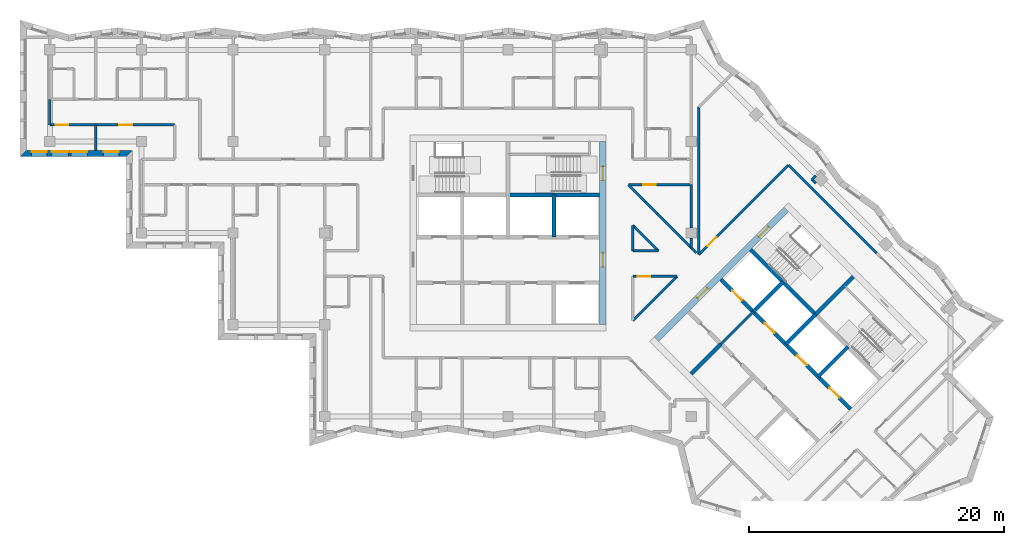
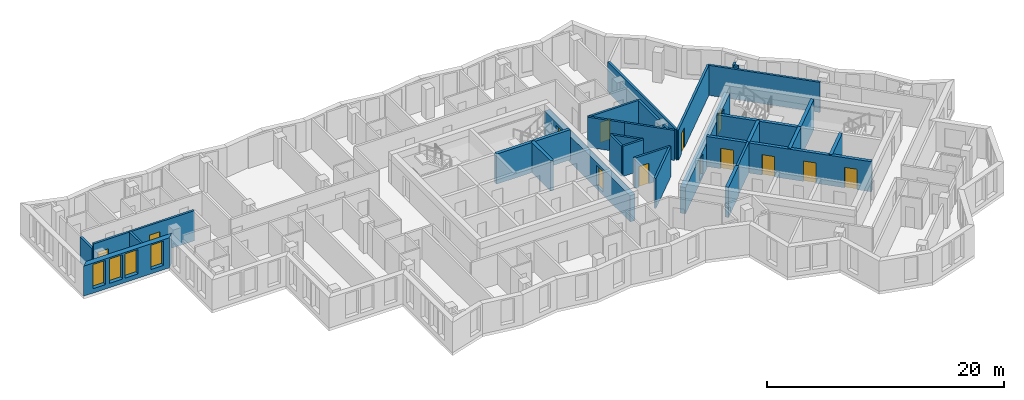
# One storey, part 5 of 13: 32 walls, 13 doors, 4 windows, 17 openings.
"""IFC4 building model written with IfcOpenShell, lengths in metres."""

from ifc_helpers import new_model, si_unit, direction, frame, frame_2d, origin, place, context, subcontext, project, spatial, polyline, rectangle, outline, extrude, material, layer, layer_set, type_object, element, fill, save


model = new_model("IFC4")

# Units and contexts
model_context = context("Model", 3, precision=1e-05, world=origin(), true_north=direction((0.0, 1.0)))
body_context = subcontext(model_context, "Body", "Model", "MODEL_VIEW")
ifc_project = project(units=[si_unit("LENGTHUNIT", "METRE"), si_unit("AREAUNIT", "SQUARE_METRE"), si_unit("VOLUMEUNIT", "CUBIC_METRE"), si_unit("PLANEANGLEUNIT", "RADIAN"), si_unit("MASSUNIT", "GRAM", prefix="KILO")], contexts=[model_context])

# Site, building, storey
site_placement = place(None, origin())
site = spatial("IfcSite", under=ifc_project, at=site_placement, CompositionType="ELEMENT")
building_placement = place(site_placement, origin())
building = spatial("IfcBuilding", under=site, at=building_placement, Name="Windrow Commons", CompositionType="ELEMENT")
storey_placement = place(building_placement, frame((0.0, 0.0, 216.8)))
storey = spatial("IfcBuildingStorey", under=building, at=storey_placement, Name="L59", CompositionType="ELEMENT", Elevation=216.8)

# Wall, openings, windows
ifc_material_1 = material(Name="Brick masonry, red clay brick", Category="masonry")
ifc_layer_1 = layer(ifc_material_1, 0.5)
ifc_layer_set_1 = layer_set([ifc_layer_1], Name="Brick facade wall 500")
wall_type_1 = type_object("IfcWallType", Name="Brick facade wall 500", PredefinedType="SOLIDWALL", material=ifc_layer_set_1)
wall_1_placement = place(storey_placement, frame((26.708, 63.85, 0.0), z_axis=(0.0, 0.0, 1.0), x_axis=(1.0, 0.0, 0.0)))
wall_1 = element("IfcWall", 1, at=wall_1_placement, inside=storey, type_object=wall_type_1, Name="Brick facade wall L59 32", PredefinedType="SOLIDWALL", context=body_context, shape_type="SweptSolid", body=[
    extrude(outline(polyline([(-0.25, -0.25), (8.092, -0.25), (8.592, 0.25), (0.25, 0.25), (-0.25, -0.25)])), origin(), (0.0, 0.0, 1.0), 3.1),
])
opening_1_placement = place(wall_1_placement, frame((2.242, 0.0, 0.45)))
opening_1 = element("IfcOpeningElement", 2, at=opening_1_placement, cuts=wall_1, Name="Opening W1Q", PredefinedType="OPENING", context=body_context, shape_type="SweptSolid", body=[
    extrude(rectangle(XDim=1.3, YDim=2.5, at=frame_2d((0.65, 1.25))), frame((0.0, 0.26, 0.0), z_axis=(0.0, -1.0, 0.0), x_axis=(1.0, 0.0, 0.0)), (0.0, 0.0, 1.0), 0.52),
])
opening_2_placement = place(wall_1_placement, frame((3.742, 0.0, 0.45)))
opening_2 = element("IfcOpeningElement", 3, at=opening_2_placement, cuts=wall_1, Name="Opening W1Q", PredefinedType="OPENING", context=body_context, shape_type="SweptSolid", body=[
    extrude(rectangle(XDim=1.3, YDim=2.5, at=frame_2d((0.65, 1.25))), frame((0.0, 0.26, 0.0), z_axis=(0.0, -1.0, 0.0), x_axis=(1.0, 0.0, 0.0)), (0.0, 0.0, 1.0), 0.52),
])
opening_3_placement = place(wall_1_placement, frame((0.671, 0.0, 0.45)))
opening_3 = element("IfcOpeningElement", 4, at=opening_3_placement, cuts=wall_1, Name="Opening W7E", PredefinedType="OPENING", context=body_context, shape_type="SweptSolid", body=[
    extrude(rectangle(XDim=1.2, YDim=2.5, at=frame_2d((0.6, 1.25))), frame((0.0, 0.26, 0.0), z_axis=(0.0, -1.0, 0.0), x_axis=(1.0, 0.0, 0.0)), (0.0, 0.0, 1.0), 0.52),
])
opening_4_placement = place(wall_1_placement, frame((6.317, 0.0, 0.45)))
opening_4 = element("IfcOpeningElement", 5, at=opening_4_placement, cuts=wall_1, Name="Opening W7E", PredefinedType="OPENING", context=body_context, shape_type="SweptSolid", body=[
    extrude(rectangle(XDim=1.2, YDim=2.5, at=frame_2d((0.6, 1.25))), frame((0.0, 0.26, 0.0), z_axis=(0.0, -1.0, 0.0), x_axis=(1.0, 0.0, 0.0)), (0.0, 0.0, 1.0), 0.52),
])
ifc_material_2 = material(Name="Clear float glass in anodised aluminium frame", Category="aluminium")
window_type_1 = type_object("IfcWindowType", Name="Window W1Q pair 1300x2500", PartitioningType="SINGLE_PANEL", PredefinedType="WINDOW", material=ifc_material_2)
window_1_placement = place(opening_1_placement, origin())
window_1 = element("IfcWindow", 6, at=window_1_placement, inside=storey, type_object=window_type_1, Name="Window L59 32.1A", OverallHeight=2.5, OverallWidth=1.3, PartitioningType="SINGLE_PANEL", PredefinedType="WINDOW", context=body_context, shape_type="SweptSolid", body=[
    extrude(rectangle(XDim=1.3, YDim=2.5, at=frame_2d((0.65, 1.25))), frame((0.0, 0.18, 0.0), z_axis=(0.0, -1.0, 0.0), x_axis=(1.0, 0.0, 0.0)), (0.0, 0.0, 1.0), 0.06),
])
fill(opening_1, window_1)
window_2_placement = place(opening_2_placement, origin())
window_2 = element("IfcWindow", 7, at=window_2_placement, inside=storey, type_object=window_type_1, Name="Window L59 32.1B", OverallHeight=2.5, OverallWidth=1.3, PartitioningType="SINGLE_PANEL", PredefinedType="WINDOW", context=body_context, shape_type="SweptSolid", body=[
    extrude(rectangle(XDim=1.3, YDim=2.5, at=frame_2d((0.65, 1.25))), frame((0.0, 0.18, 0.0), z_axis=(0.0, -1.0, 0.0), x_axis=(1.0, 0.0, 0.0)), (0.0, 0.0, 1.0), 0.06),
])
fill(opening_2, window_2)
ifc_material_3 = material(Name="Clear float glass in anodised aluminium frame", Category="aluminium")
window_type_2 = type_object("IfcWindowType", Name="Window W7 notch 1200x2500", PartitioningType="SINGLE_PANEL", PredefinedType="WINDOW", material=ifc_material_3)
window_3_placement = place(opening_3_placement, origin())
window_3 = element("IfcWindow", 8, at=window_3_placement, inside=storey, type_object=window_type_2, Name="Window L59 32.2", OverallHeight=2.5, OverallWidth=1.2, PartitioningType="SINGLE_PANEL", PredefinedType="WINDOW", context=body_context, shape_type="SweptSolid", body=[
    extrude(rectangle(XDim=1.2, YDim=2.5, at=frame_2d((0.6, 1.25))), frame((0.0, 0.18, 0.0), z_axis=(0.0, -1.0, 0.0), x_axis=(1.0, 0.0, 0.0)), (0.0, 0.0, 1.0), 0.06),
])
fill(opening_3, window_3)
window_4_placement = place(opening_4_placement, origin())
window_4 = element("IfcWindow", 9, at=window_4_placement, inside=storey, type_object=window_type_2, Name="Window L59 32.3", OverallHeight=2.5, OverallWidth=1.2, PartitioningType="SINGLE_PANEL", PredefinedType="WINDOW", context=body_context, shape_type="SweptSolid", body=[
    extrude(rectangle(XDim=1.2, YDim=2.5, at=frame_2d((0.6, 1.25))), frame((0.0, 0.18, 0.0), z_axis=(0.0, -1.0, 0.0), x_axis=(1.0, 0.0, 0.0)), (0.0, 0.0, 1.0), 0.06),
])
fill(opening_4, window_4)

# Wall
ifc_material_4 = material(Name="Blockwork partition", Category="masonry")
ifc_layer_2 = layer(ifc_material_4, 0.2)
ifc_layer_set_2 = layer_set([ifc_layer_2], Name="Fire lobby partition 200")
wall_type_2 = type_object("IfcWallType", Name="Fire lobby partition 200", PredefinedType="PARTITIONING", material=ifc_layer_set_2)
wall_2_placement = place(storey_placement, frame((81.5335, 48.8776, 0.0), z_axis=(0.0, 0.0, 1.0), x_axis=(0.707092892, 0.7071206701, 0.0)))
element("IfcWall", 10, at=wall_2_placement, inside=storey, type_object=wall_type_2, Name="W-core-lobby-B-L59", PredefinedType="PARTITIONING", context=body_context, shape_type="SweptSolid", body=[
    extrude(rectangle(XDim=3.6, YDim=0.2, at=frame_2d((1.8, 0.0))), origin(), (0.0, 0.0, 1.0), 3.1),
])

# Wall, opening, door
ifc_material_5 = material(Name="Blockwork partition", Category="masonry")
ifc_layer_3 = layer(ifc_material_5, 0.2)
ifc_layer_set_3 = layer_set([ifc_layer_3], Name="IW-CORRIDOR-200")
wall_type_3 = type_object("IfcWallType", Name="IW-CORRIDOR-200", PredefinedType="PARTITIONING", material=ifc_layer_set_3)
wall_3_placement = place(storey_placement, frame((79.799, 55.913, 0.0), z_axis=(0.0, 0.0, 1.0), x_axis=(0.7071067812, 0.7071067812, 0.0)))
wall_3 = element("IfcWall", 11, at=wall_3_placement, inside=storey, type_object=wall_type_3, Name="W-L59-W009", PredefinedType="PARTITIONING", context=body_context, shape_type="SweptSolid", body=[
    extrude(rectangle(XDim=9.9504, YDim=0.2, at=frame_2d((4.9752, 0.0))), origin(), (0.0, 0.0, 1.0), 3.1),
])
opening_5_placement = place(wall_3_placement, frame((0.9268, 0.0, 0.0)))
opening_5 = element("IfcOpeningElement", 12, at=opening_5_placement, cuts=wall_3, Name="Opening D310F", PredefinedType="OPENING", context=body_context, shape_type="SweptSolid", body=[
    extrude(rectangle(XDim=1.0, YDim=2.1, at=frame_2d((0.5, 1.05))), frame((0.0, 0.11, 0.0), z_axis=(0.0, -1.0, 0.0), x_axis=(1.0, 0.0, 0.0)), (0.0, 0.0, 1.0), 0.22),
])
ifc_material_6 = material(Name="Timber door leaf", Category="wood")
door_type_1 = type_object("IfcDoorType", Name="DT-AMENITY-1000", OperationType="SINGLE_SWING_LEFT", PredefinedType="DOOR", material=ifc_material_6)
door_1_placement = place(opening_5_placement, origin())
door_1 = element("IfcDoor", 13, at=door_1_placement, inside=storey, type_object=door_type_1, Name="D-L59-D041", OperationType="SINGLE_SWING_RIGHT", OverallHeight=2.1, OverallWidth=1.0, PredefinedType="DOOR", context=body_context, shape_type="SweptSolid", body=[
    extrude(rectangle(XDim=1.0, YDim=2.1, at=frame_2d((0.5, 1.05))), frame((0.0, 0.025, 0.0), z_axis=(0.0, -1.0, 0.0), x_axis=(1.0, 0.0, 0.0)), (0.0, 0.0, 1.0), 0.05),
])
fill(opening_5, door_1)

# Wall, openings, doors
wall_4_placement = place(storey_placement, frame((28.802, 66.1, 0.0), z_axis=(0.0, 0.0, 1.0), x_axis=(1.0, 0.0, 0.0)))
wall_4 = element("IfcWall", 14, at=wall_4_placement, inside=storey, type_object=wall_type_3, Name="W-L59-W010", PredefinedType="PARTITIONING", context=body_context, shape_type="SweptSolid", body=[
    extrude(rectangle(XDim=9.798, YDim=0.2, at=frame_2d((4.899, 0.0))), origin(), (0.0, 0.0, 1.0), 3.1),
])
opening_6_placement = place(wall_4_placement, frame((0.4487, 0.0, 0.0)))
opening_6 = element("IfcOpeningElement", 15, at=opening_6_placement, cuts=wall_4, Name="Opening D310F", PredefinedType="OPENING", context=body_context, shape_type="SweptSolid", body=[
    extrude(rectangle(XDim=1.0, YDim=2.1, at=frame_2d((0.5, 1.05))), frame((0.0, 0.11, 0.0), z_axis=(0.0, -1.0, 0.0), x_axis=(1.0, 0.0, 0.0)), (0.0, 0.0, 1.0), 0.22),
])
opening_7_placement = place(wall_4_placement, frame((5.4593, 0.0, 0.0)))
opening_7 = element("IfcOpeningElement", 16, at=opening_7_placement, cuts=wall_4, Name="Opening D310F", PredefinedType="OPENING", context=body_context, shape_type="SweptSolid", body=[
    extrude(rectangle(XDim=1.0, YDim=2.1, at=frame_2d((0.5, 1.05))), frame((0.0, 0.11, 0.0), z_axis=(0.0, -1.0, 0.0), x_axis=(1.0, 0.0, 0.0)), (0.0, 0.0, 1.0), 0.22),
])
door_2_placement = place(opening_6_placement, origin())
door_2 = element("IfcDoor", 17, at=door_2_placement, inside=storey, type_object=door_type_1, Name="D-L59-D001", OperationType="SINGLE_SWING_LEFT", OverallHeight=2.1, OverallWidth=1.0, PredefinedType="DOOR", context=body_context, shape_type="SweptSolid", body=[
    extrude(rectangle(XDim=1.0, YDim=2.1, at=frame_2d((0.5, 1.05))), frame((0.0, 0.025, 0.0), z_axis=(0.0, -1.0, 0.0), x_axis=(1.0, 0.0, 0.0)), (0.0, 0.0, 1.0), 0.05),
])
fill(opening_6, door_2)
door_3_placement = place(opening_7_placement, origin())
door_3 = element("IfcDoor", 18, at=door_3_placement, inside=storey, type_object=door_type_1, Name="D-L59-D008", OperationType="SINGLE_SWING_RIGHT", OverallHeight=2.1, OverallWidth=1.0, PredefinedType="DOOR", context=body_context, shape_type="SweptSolid", body=[
    extrude(rectangle(XDim=1.0, YDim=2.1, at=frame_2d((0.5, 1.05))), frame((0.0, 0.025, 0.0), z_axis=(0.0, -1.0, 0.0), x_axis=(1.0, 0.0, 0.0)), (0.0, 0.0, 1.0), 0.05),
])
fill(opening_7, door_3)

# Wall
wall_5_placement = place(storey_placement, frame((86.8347, 62.9447, 0.0), z_axis=(0.0, 0.0, 1.0), x_axis=(0.7071067812, -0.7071067812, 0.0)))
element("IfcWall", 19, at=wall_5_placement, inside=storey, type_object=wall_type_3, Name="W-L59-W011", PredefinedType="PARTITIONING", context=body_context, shape_type="SweptSolid", body=[
    extrude(rectangle(XDim=9.7977, YDim=0.2, at=frame_2d((4.8989, 0.0))), origin(), (0.0, 0.0, 1.0), 3.1),
])

# Wall, opening, door
wall_6_placement = place(storey_placement, frame((74.246, 61.4, 0.0), z_axis=(0.0, 0.0, 1.0), x_axis=(1.0, 0.0, 0.0)))
wall_6 = element("IfcWall", 20, at=wall_6_placement, inside=storey, type_object=wall_type_3, Name="W-L59-W029", PredefinedType="PARTITIONING", context=body_context, shape_type="SweptSolid", body=[
    extrude(rectangle(XDim=4.954, YDim=0.2, at=frame_2d((2.477, 0.0))), origin(), (0.0, 0.0, 1.0), 3.1),
])
opening_8_placement = place(wall_6_placement, frame((1.1698, 0.0, 0.0)))
opening_8 = element("IfcOpeningElement", 21, at=opening_8_placement, cuts=wall_6, Name="Opening D410F", PredefinedType="OPENING", context=body_context, shape_type="SweptSolid", body=[
    extrude(rectangle(XDim=1.0, YDim=2.1, at=frame_2d((0.5, 1.05))), frame((0.0, 0.11, 0.0), z_axis=(0.0, -1.0, 0.0), x_axis=(1.0, 0.0, 0.0)), (0.0, 0.0, 1.0), 0.22),
])
ifc_material_7 = material(Name="Timber door leaf", Category="wood")
door_type_2 = type_object("IfcDoorType", Name="DT-SERVICE-1000", OperationType="SINGLE_SWING_LEFT", PredefinedType="DOOR", material=ifc_material_7)
door_4_placement = place(opening_8_placement, origin())
door_4 = element("IfcDoor", 22, at=door_4_placement, inside=storey, type_object=door_type_2, Name="D-L59-D040", OperationType="SINGLE_SWING_RIGHT", OverallHeight=2.1, OverallWidth=1.0, PredefinedType="DOOR", context=body_context, shape_type="SweptSolid", body=[
    extrude(rectangle(XDim=1.0, YDim=2.1, at=frame_2d((0.5, 1.05))), frame((0.0, 0.025, 0.0), z_axis=(0.0, -1.0, 0.0), x_axis=(1.0, 0.0, 0.0)), (0.0, 0.0, 1.0), 0.05),
])
fill(opening_8, door_4)

# Walls
wall_7_placement = place(storey_placement, frame((74.601, 50.715, 0.0), z_axis=(0.0, 0.0, 1.0), x_axis=(0.7071067812, 0.7071067812, 0.0)))
element("IfcWall", 23, at=wall_7_placement, inside=storey, type_object=wall_type_3, Name="W-L59-W030", PredefinedType="PARTITIONING", context=body_context, shape_type="SweptSolid", body=[
    extrude(rectangle(XDim=4.9271, YDim=0.2, at=frame_2d((2.4636, 0.0))), origin(), (0.0, 0.0, 1.0), 3.1),
])
wall_8_placement = place(storey_placement, frame((76.5129, 59.1309, 0.0), z_axis=(0.0, 0.0, 1.0), x_axis=(0.7073587997, -0.7068546728, 0.0)))
element("IfcWall", 24, at=wall_8_placement, inside=storey, type_object=wall_type_3, Name="W-L59-W040", PredefinedType="PARTITIONING", context=body_context, shape_type="SweptSolid", body=[
    extrude(rectangle(XDim=4.364, YDim=0.2, at=frame_2d((2.182, 0.0))), origin(), (0.0, 0.0, 1.0), 3.1),
])

# Wall, opening, door
wall_9_placement = place(storey_placement, frame((74.602, 54.2, 0.0), z_axis=(0.0, 0.0, 1.0), x_axis=(1.0, 0.0, 0.0)))
wall_9 = element("IfcWall", 25, at=wall_9_placement, inside=storey, type_object=wall_type_3, Name="W-L59-W047", PredefinedType="PARTITIONING", context=body_context, shape_type="SweptSolid", body=[
    extrude(rectangle(XDim=3.484, YDim=0.2, at=frame_2d((1.742, 0.0))), origin(), (0.0, 0.0, 1.0), 3.1),
])
opening_9_placement = place(wall_9_placement, frame((0.3815, 0.0, 0.0)))
opening_9 = element("IfcOpeningElement", 26, at=opening_9_placement, cuts=wall_9, Name="Opening D310F", PredefinedType="OPENING", context=body_context, shape_type="SweptSolid", body=[
    extrude(rectangle(XDim=1.0, YDim=2.1, at=frame_2d((0.5, 1.05))), frame((0.0, 0.11, 0.0), z_axis=(0.0, -1.0, 0.0), x_axis=(1.0, 0.0, 0.0)), (0.0, 0.0, 1.0), 0.22),
])
door_5_placement = place(opening_9_placement, origin())
door_5 = element("IfcDoor", 27, at=door_5_placement, inside=storey, type_object=door_type_1, Name="D-L59-D000", OperationType="SINGLE_SWING_RIGHT", OverallHeight=2.1, OverallWidth=1.0, PredefinedType="DOOR", context=body_context, shape_type="SweptSolid", body=[
    extrude(rectangle(XDim=1.0, YDim=2.1, at=frame_2d((0.5, 1.05))), frame((0.0, 0.025, 0.0), z_axis=(0.0, -1.0, 0.0), x_axis=(1.0, 0.0, 0.0)), (0.0, 0.0, 1.0), 0.05),
])
fill(opening_9, door_5)

# Walls
wall_10_placement = place(storey_placement, frame((74.6055, 58.2175, 0.0), z_axis=(0.0, 0.0, 1.0), x_axis=(0.7071067812, -0.7071067812, 0.0)))
element("IfcWall", 28, at=wall_10_placement, inside=storey, type_object=wall_type_3, Name="W-L59-W059", PredefinedType="PARTITIONING", context=body_context, shape_type="SweptSolid", body=[
    extrude(rectangle(XDim=2.8454, YDim=0.2, at=frame_2d((1.4227, 0.0))), origin(), (0.0, 0.0, 1.0), 3.1),
])
for number, where, z_axis, x_axis, name in (
    (29, (74.6, 56.202, 0.0), (0.0, 0.0, 1.0), (0.0, 1.0, 0.0), "W-L59-W100"),
    (30, (74.602, 56.2, 0.0), (0.0, 0.0, 1.0), (1.0, 0.0, 0.0), "W-L59-W101"),
):
    element("IfcWall", number, at=place(storey_placement, frame(where, z_axis=z_axis, x_axis=x_axis)), inside=storey, type_object=wall_type_3, Name=name, PredefinedType="PARTITIONING", context=body_context, shape_type="SweptSolid", body=[
        extrude(rectangle(XDim=2.01, YDim=0.2, at=frame_2d((1.005, 0.0))), origin(), (0.0, 0.0, 1.0), 3.1),
    ])
wall_11_placement = place(storey_placement, frame((28.8, 66.102, 0.0), z_axis=(0.0, 0.0, 1.0), x_axis=(0.0, 1.0, 0.0)))
element("IfcWall", 31, at=wall_11_placement, inside=storey, type_object=wall_type_3, Name="W-L59-W106", PredefinedType="PARTITIONING", context=body_context, shape_type="SweptSolid", body=[
    extrude(rectangle(XDim=1.998, YDim=0.2, at=frame_2d((0.999, 0.0))), origin(), (0.0, 0.0, 1.0), 2.6),
])
wall_12_placement = place(storey_placement, frame((74.2426, 61.3946, 0.0), z_axis=(0.0, 0.0, 1.0), x_axis=(0.7071067812, -0.7071067812, 0.0)))
element("IfcWall", 32, at=wall_12_placement, inside=storey, type_object=wall_type_3, Name="W-L59-W108", PredefinedType="PARTITIONING", context=body_context, shape_type="SweptSolid", body=[
    extrude(rectangle(XDim=1.9148, YDim=0.2, at=frame_2d((0.9574, 0.0))), origin(), (0.0, 0.0, 1.0), 3.1),
])
wall_13_placement = place(storey_placement, frame((75.6023, 60.0463, 0.0), z_axis=(0.0, 0.0, 1.0), x_axis=(0.7063318703, -0.7078808437, 0.0)))
element("IfcWall", 33, at=wall_13_placement, inside=storey, type_object=wall_type_3, Name="W-L59-W131", PredefinedType="PARTITIONING", context=body_context, shape_type="SweptSolid", body=[
    extrude(rectangle(XDim=1.2912, YDim=0.2, at=frame_2d((0.6456, 0.0))), origin(), (0.0, 0.0, 1.0), 3.1),
])
ifc_material_8 = material(Name="Blockwork partition", Category="masonry")
ifc_layer_4 = layer(ifc_material_8, 0.2)
ifc_layer_set_4 = layer_set([ifc_layer_4], Name="IW-PARTY-200")
wall_type_4 = type_object("IfcWallType", Name="IW-PARTY-200", PredefinedType="PARTITIONING", material=ifc_layer_set_4)
wall_14_placement = place(storey_placement, frame((79.8, 55.912, 0.0), z_axis=(0.0, 0.0, 1.0), x_axis=(0.0, 1.0, 0.0)))
element("IfcWall", 34, at=wall_14_placement, inside=storey, type_object=wall_type_4, Name="W-L59-W007", PredefinedType="PARTITIONING", context=body_context, shape_type="SweptSolid", body=[
    extrude(rectangle(XDim=11.596, YDim=0.2, at=frame_2d((5.798, 0.0))), origin(), (0.0, 0.0, 1.0), 3.1),
])
wall_15_placement = place(storey_placement, frame((79.2, 58.0, 0.0), z_axis=(0.0, 0.0, 1.0), x_axis=(0.0, 1.0, 0.0)))
element("IfcWall", 35, at=wall_15_placement, inside=storey, type_object=wall_type_4, Name="W-L59-W048", PredefinedType="PARTITIONING", context=body_context, shape_type="SweptSolid", body=[
    extrude(rectangle(XDim=3.4, YDim=0.2, at=frame_2d((1.7, 0.0))), origin(), (0.0, 0.0, 1.0), 3.1),
])
wall_16_placement = place(storey_placement, frame((32.4, 64.1, 0.0), z_axis=(0.0, 0.0, 1.0), x_axis=(0.0, 1.0, 0.0)))
element("IfcWall", 36, at=wall_16_placement, inside=storey, type_object=wall_type_4, Name="W-L59-W107", PredefinedType="PARTITIONING", context=body_context, shape_type="SweptSolid", body=[
    extrude(rectangle(XDim=2.0, YDim=0.2, at=frame_2d((1.0, 0.0))), origin(), (0.0, 0.0, 1.0), 3.1),
])
wall_17_placement = place(storey_placement, frame((79.2, 56.444, 0.0), z_axis=(0.0, 0.0, 1.0), x_axis=(0.0, 1.0, 0.0)))
element("IfcWall", 37, at=wall_17_placement, inside=storey, type_object=wall_type_4, Name="W-L59-W148", PredefinedType="PARTITIONING", context=body_context, shape_type="SweptSolid", body=[
    extrude(rectangle(XDim=0.756, YDim=0.2, at=frame_2d((0.378, 0.0))), origin(), (0.0, 0.0, 1.0), 3.1),
])
for number, where, z_axis, x_axis, name in (
    (38, (88.671, 61.815, 0.0), (0.0, 0.0, 1.0), (0.7071067812, 0.7071067812, 0.0), "W-L59-W169"),
    (39, (88.6722, 61.8142, 0.0), (0.0, 0.0, 1.0), (0.7071067812, -0.7071067812, 0.0), "W-L59-W170"),
):
    element("IfcWall", number, at=place(storey_placement, frame(where, z_axis=z_axis, x_axis=x_axis)), inside=storey, type_object=wall_type_4, Name=name, PredefinedType="PARTITIONING", context=body_context, shape_type="SweptSolid", body=[
        extrude(rectangle(XDim=0.4384, YDim=0.2, at=frame_2d((0.2192, 0.0))), origin(), (0.0, 0.0, 1.0), 3.1),
    ])

# Wall, openings, doors
ifc_material_9 = material(Name="Concrete C40/50", Category="concrete")
ifc_layer_5 = layer(ifc_material_9, 0.5)
ifc_layer_set_5 = layer_set([ifc_layer_5], Name="RC CORE WALL 500 C40/50")
wall_type_5 = type_object("IfcWallType", Name="RC CORE WALL 500 C40/50", PredefinedType="SHEAR", material=ifc_layer_set_5)
wall_18_placement = place(storey_placement, frame((72.25, 50.4, -0.3), z_axis=(0.0, 0.0, 1.0), x_axis=(0.0, 1.0, 0.0)))
wall_18 = element("IfcWall", 40, at=wall_18_placement, inside=storey, type_object=wall_type_5, Name="Core A wall outer-E", PredefinedType="SHEAR", context=body_context, shape_type="SweptSolid", body=[
    extrude(rectangle(XDim=14.4, YDim=0.5, at=frame_2d((7.2, 0.0))), origin(), (0.0, 0.0, 1.0), 2.7),
])
opening_10_placement = place(wall_18_placement, frame((4.55, 0.0, 0.3)))
opening_10 = element("IfcOpeningElement", 41, at=opening_10_placement, cuts=wall_18, Name="Opening D6", PredefinedType="OPENING", context=body_context, shape_type="SweptSolid", body=[
    extrude(rectangle(XDim=1.1, YDim=2.1, at=frame_2d((0.55, 1.05))), frame((0.0, 0.26, 0.0), z_axis=(0.0, -1.0, 0.0), x_axis=(1.0, 0.0, 0.0)), (0.0, 0.0, 1.0), 0.52),
])
opening_11_placement = place(wall_18_placement, frame((11.35, 0.0, 0.3)))
opening_11 = element("IfcOpeningElement", 42, at=opening_11_placement, cuts=wall_18, Name="Opening D7", PredefinedType="OPENING", context=body_context, shape_type="SweptSolid", body=[
    extrude(rectangle(XDim=1.1, YDim=2.1, at=frame_2d((0.55, 1.05))), frame((0.0, 0.26, 0.0), z_axis=(0.0, -1.0, 0.0), x_axis=(1.0, 0.0, 0.0)), (0.0, 0.0, 1.0), 0.52),
])
ifc_material_10 = material(Name="Steel fire door leaf", Category="steel")
door_type_3 = type_object("IfcDoorType", Name="Core lobby door 1100", OperationType="SINGLE_SWING_LEFT", PredefinedType="DOOR", material=ifc_material_10)
door_6_placement = place(opening_10_placement, origin())
door_6 = element("IfcDoor", 43, at=door_6_placement, inside=storey, type_object=door_type_3, Name="Lift lobby door", OperationType="DOUBLE_DOOR_SINGLE_SWING", OverallHeight=2.1, OverallWidth=1.1, PredefinedType="DOOR", context=body_context, shape_type="SweptSolid", body=[
    extrude(rectangle(XDim=1.1, YDim=2.1, at=frame_2d((0.55, 1.05))), frame((0.0, 0.025, 0.0), z_axis=(0.0, -1.0, 0.0), x_axis=(1.0, 0.0, 0.0)), (0.0, 0.0, 1.0), 0.05),
])
fill(opening_10, door_6)
ifc_material_11 = material(Name="Steel fire door leaf", Category="steel")
door_type_4 = type_object("IfcDoorType", Name="Stair door 1100", OperationType="SINGLE_SWING_LEFT", PredefinedType="DOOR", material=ifc_material_11)
door_7_placement = place(opening_11_placement, origin())
door_7 = element("IfcDoor", 44, at=door_7_placement, inside=storey, type_object=door_type_4, Name="Stair door", OperationType="SINGLE_SWING_RIGHT", OverallHeight=2.1, OverallWidth=1.1, PredefinedType="DOOR", context=body_context, shape_type="SweptSolid", body=[
    extrude(rectangle(XDim=1.1, YDim=2.1, at=frame_2d((0.55, 1.05))), frame((0.0, 0.025, 0.0), z_axis=(0.0, -1.0, 0.0), x_axis=(1.0, 0.0, 0.0)), (0.0, 0.0, 1.0), 0.05),
])
fill(opening_11, door_7)

wall_19_placement = place(storey_placement, frame((76.4776, 49.2665, -0.3), z_axis=(0.0, 0.0, 1.0), x_axis=(0.7071067812, 0.7071067812, 0.0)))
wall_19 = element("IfcWall", 45, at=wall_19_placement, inside=storey, type_object=wall_type_5, Name="Core B wall outer-W", PredefinedType="SHEAR", context=body_context, shape_type="SweptSolid", body=[
    extrude(rectangle(XDim=14.4001, YDim=0.5, at=frame_2d((7.2001, 0.0))), origin(), (0.0, 0.0, 1.0), 2.7),
])
opening_12_placement = place(wall_19_placement, frame((4.55, 0.0, 0.3)))
opening_12 = element("IfcOpeningElement", 46, at=opening_12_placement, cuts=wall_19, Name="Opening D6", PredefinedType="OPENING", context=body_context, shape_type="SweptSolid", body=[
    extrude(rectangle(XDim=1.1, YDim=2.1, at=frame_2d((0.55, 1.05))), frame((0.0, 0.26, 0.0), z_axis=(0.0, -1.0, 0.0), x_axis=(1.0, 0.0, 0.0)), (0.0, 0.0, 1.0), 0.52),
])
opening_13_placement = place(wall_19_placement, frame((11.35, 0.0, 0.3)))
opening_13 = element("IfcOpeningElement", 47, at=opening_13_placement, cuts=wall_19, Name="Opening D7", PredefinedType="OPENING", context=body_context, shape_type="SweptSolid", body=[
    extrude(rectangle(XDim=1.1, YDim=2.1, at=frame_2d((0.55, 1.05))), frame((0.0, 0.26, 0.0), z_axis=(0.0, -1.0, 0.0), x_axis=(1.0, 0.0, 0.0)), (0.0, 0.0, 1.0), 0.52),
])
door_8_placement = place(opening_12_placement, origin())
door_8 = element("IfcDoor", 48, at=door_8_placement, inside=storey, type_object=door_type_3, Name="Lift lobby door", OperationType="DOUBLE_DOOR_SINGLE_SWING", OverallHeight=2.1, OverallWidth=1.1, PredefinedType="DOOR", context=body_context, shape_type="SweptSolid", body=[
    extrude(rectangle(XDim=1.1, YDim=2.1, at=frame_2d((0.55, 1.05))), frame((0.0, 0.025, 0.0), z_axis=(0.0, -1.0, 0.0), x_axis=(1.0, 0.0, 0.0)), (0.0, 0.0, 1.0), 0.05),
])
fill(opening_12, door_8)
door_9_placement = place(opening_13_placement, origin())
door_9 = element("IfcDoor", 49, at=door_9_placement, inside=storey, type_object=door_type_4, Name="Stair door", OperationType="SINGLE_SWING_LEFT", OverallHeight=2.1, OverallWidth=1.1, PredefinedType="DOOR", context=body_context, shape_type="SweptSolid", body=[
    extrude(rectangle(XDim=1.1, YDim=2.1, at=frame_2d((0.55, 1.05))), frame((0.0, 0.025, 0.0), z_axis=(0.0, -1.0, 0.0), x_axis=(1.0, 0.0, 0.0)), (0.0, 0.0, 1.0), 0.05),
])
fill(opening_13, door_9)

# Walls
ifc_material_12 = material(Name="Concrete C40/50", Category="concrete")
ifc_layer_6 = layer(ifc_material_12, 0.3)
ifc_layer_set_6 = layer_set([ifc_layer_6], Name="RC SHAFT WALL 300 C40/50")
wall_type_6 = type_object("IfcWallType", Name="RC SHAFT WALL 300 C40/50", PredefinedType="SOLIDWALL", material=ifc_layer_set_6)
wall_20_placement = place(storey_placement, frame((68.4, 57.3, 0.0), z_axis=(0.0, 0.0, 1.0), x_axis=(0.0, 1.0, 0.0)))
element("IfcWall", 50, at=wall_20_placement, inside=storey, type_object=wall_type_6, Name="Core A wall shaft-N3", PredefinedType="SOLIDWALL", context=body_context, shape_type="SweptSolid", body=[
    extrude(rectangle(XDim=3.3, YDim=0.3, at=frame_2d((1.65, 0.0))), origin(), (0.0, 0.0, 1.0), 3.1),
])
wall_21_placement = place(storey_placement, frame((64.8, 60.6, 0.0), z_axis=(0.0, 0.0, 1.0), x_axis=(1.0, 0.0, 0.0)))
element("IfcWall", 51, at=wall_21_placement, inside=storey, type_object=wall_type_6, Name="Core A wall stair-S2", PredefinedType="SOLIDWALL", context=body_context, shape_type="SweptSolid", body=[
    extrude(rectangle(XDim=7.2, YDim=0.3, at=frame_2d((3.6, 0.0))), origin(), (0.0, 0.0, 1.0), 3.1),
])
for number, where, z_axis, x_axis, name in (
    (52, (79.2, 46.5442, 0.0), (0.0, 0.0, 1.0), (0.7071219326, 0.7070916295, 0.0), "Core B wall shaft-S1"),
    (53, (84.079, 51.4232, 0.0), (0.0, 0.0, 1.0), (0.7071219326, 0.7070916295, 0.0), "Core B wall shaft-N1"),
):
    element("IfcWall", number, at=place(storey_placement, frame(where, z_axis=z_axis, x_axis=x_axis)), inside=storey, type_object=wall_type_6, Name=name, PredefinedType="SOLIDWALL", context=body_context, shape_type="SweptSolid", body=[
        extrude(rectangle(XDim=3.3, YDim=0.3, at=frame_2d((1.65, 0.0))), origin(), (0.0, 0.0, 1.0), 3.1),
    ])
for number, where, z_axis, x_axis, name in (
    (54, (86.6246, 48.8776, 0.0), (0.0, 0.0, 1.0), (0.7071067812, 0.7071067812, 0.0), "Core B wall shaft-N2"),
    (55, (89.1702, 46.332, 0.0), (0.0, 0.0, 1.0), (0.7071067812, 0.7071067812, 0.0), "Core B wall shaft-N3"),
):
    element("IfcWall", number, at=place(storey_placement, frame(where, z_axis=z_axis, x_axis=x_axis)), inside=storey, type_object=wall_type_6, Name=name, PredefinedType="SOLIDWALL", context=body_context, shape_type="SweptSolid", body=[
        extrude(rectangle(XDim=3.3001, YDim=0.3, at=frame_2d((1.6501, 0.0))), origin(), (0.0, 0.0, 1.0), 3.1),
    ])

# Wall, openings, doors
wall_22_placement = place(storey_placement, frame((81.5335, 53.9688, 0.0), z_axis=(0.0, 0.0, 1.0), x_axis=(0.707103309, -0.7071102534, 0.0)))
wall_22 = element("IfcWall", 56, at=wall_22_placement, inside=storey, type_object=wall_type_6, Name="Core B wall lobby-N", PredefinedType="SOLIDWALL", context=body_context, shape_type="SweptSolid", body=[
    extrude(rectangle(XDim=14.4, YDim=0.3, at=frame_2d((7.2, 0.0))), origin(), (0.0, 0.0, 1.0), 3.1),
])
opening_14_placement = place(wall_22_placement, frame((1.25, 0.0, 0.0)))
opening_14 = element("IfcOpeningElement", 57, at=opening_14_placement, cuts=wall_22, Name="Opening LD", PredefinedType="OPENING", context=body_context, shape_type="SweptSolid", body=[
    extrude(rectangle(XDim=1.1, YDim=2.1, at=frame_2d((0.55, 1.05))), frame((0.0, 0.16, 0.0), z_axis=(0.0, -1.0, 0.0), x_axis=(1.0, 0.0, 0.0)), (0.0, 0.0, 1.0), 0.32),
])
opening_15_placement = place(wall_22_placement, frame((4.85, 0.0, 0.0)))
opening_15 = element("IfcOpeningElement", 58, at=opening_15_placement, cuts=wall_22, Name="Opening LD", PredefinedType="OPENING", context=body_context, shape_type="SweptSolid", body=[
    extrude(rectangle(XDim=1.1, YDim=2.1, at=frame_2d((0.55, 1.05))), frame((0.0, 0.16, 0.0), z_axis=(0.0, -1.0, 0.0), x_axis=(1.0, 0.0, 0.0)), (0.0, 0.0, 1.0), 0.32),
])
opening_16_placement = place(wall_22_placement, frame((8.45, 0.0, 0.0)))
opening_16 = element("IfcOpeningElement", 59, at=opening_16_placement, cuts=wall_22, Name="Opening LD", PredefinedType="OPENING", context=body_context, shape_type="SweptSolid", body=[
    extrude(rectangle(XDim=1.1, YDim=2.1, at=frame_2d((0.55, 1.05))), frame((0.0, 0.16, 0.0), z_axis=(0.0, -1.0, 0.0), x_axis=(1.0, 0.0, 0.0)), (0.0, 0.0, 1.0), 0.32),
])
opening_17_placement = place(wall_22_placement, frame((12.05, 0.0, 0.0)))
opening_17 = element("IfcOpeningElement", 60, at=opening_17_placement, cuts=wall_22, Name="Opening LD", PredefinedType="OPENING", context=body_context, shape_type="SweptSolid", body=[
    extrude(rectangle(XDim=1.1, YDim=2.1, at=frame_2d((0.55, 1.05))), frame((0.0, 0.16, 0.0), z_axis=(0.0, -1.0, 0.0), x_axis=(1.0, 0.0, 0.0)), (0.0, 0.0, 1.0), 0.32),
])
ifc_material_13 = material(Name="Stainless steel door leaf", Category="steel")
door_type_5 = type_object("IfcDoorType", Name="Lift landing door 1100", OperationType="SLIDING_TO_LEFT", PredefinedType="DOOR", material=ifc_material_13)
door_10_placement = place(opening_14_placement, origin())
door_10 = element("IfcDoor", 61, at=door_10_placement, inside=storey, type_object=door_type_5, Name="Lift landing door", OperationType="SLIDING_TO_LEFT", OverallHeight=2.1, OverallWidth=1.1, PredefinedType="DOOR", context=body_context, shape_type="SweptSolid", body=[
    extrude(rectangle(XDim=1.1, YDim=2.1, at=frame_2d((0.55, 1.05))), frame((0.0, 0.025, 0.0), z_axis=(0.0, -1.0, 0.0), x_axis=(1.0, 0.0, 0.0)), (0.0, 0.0, 1.0), 0.05),
])
fill(opening_14, door_10)
door_11_placement = place(opening_15_placement, origin())
door_11 = element("IfcDoor", 62, at=door_11_placement, inside=storey, type_object=door_type_5, Name="Lift landing door", OperationType="SLIDING_TO_RIGHT", OverallHeight=2.1, OverallWidth=1.1, PredefinedType="DOOR", context=body_context, shape_type="SweptSolid", body=[
    extrude(rectangle(XDim=1.1, YDim=2.1, at=frame_2d((0.55, 1.05))), frame((0.0, 0.025, 0.0), z_axis=(0.0, -1.0, 0.0), x_axis=(1.0, 0.0, 0.0)), (0.0, 0.0, 1.0), 0.05),
])
fill(opening_15, door_11)
door_12_placement = place(opening_16_placement, origin())
door_12 = element("IfcDoor", 63, at=door_12_placement, inside=storey, type_object=door_type_5, Name="Lift landing door", OperationType="SLIDING_TO_LEFT", OverallHeight=2.1, OverallWidth=1.1, PredefinedType="DOOR", context=body_context, shape_type="SweptSolid", body=[
    extrude(rectangle(XDim=1.1, YDim=2.1, at=frame_2d((0.55, 1.05))), frame((0.0, 0.025, 0.0), z_axis=(0.0, -1.0, 0.0), x_axis=(1.0, 0.0, 0.0)), (0.0, 0.0, 1.0), 0.05),
])
fill(opening_16, door_12)
door_13_placement = place(opening_17_placement, origin())
door_13 = element("IfcDoor", 64, at=door_13_placement, inside=storey, type_object=door_type_5, Name="Lift landing door", OperationType="SLIDING_TO_RIGHT", OverallHeight=2.1, OverallWidth=1.1, PredefinedType="DOOR", context=body_context, shape_type="SweptSolid", body=[
    extrude(rectangle(XDim=1.1, YDim=2.1, at=frame_2d((0.55, 1.05))), frame((0.0, 0.025, 0.0), z_axis=(0.0, -1.0, 0.0), x_axis=(1.0, 0.0, 0.0)), (0.0, 0.0, 1.0), 0.05),
])
fill(opening_17, door_13)

# Walls
wall_23_placement = place(storey_placement, frame((83.8669, 56.3022, 0.0), z_axis=(0.0, 0.0, 1.0), x_axis=(0.7071137256, -0.7070998367, 0.0)))
element("IfcWall", 65, at=wall_23_placement, inside=storey, type_object=wall_type_6, Name="Core B wall stair-S", PredefinedType="SOLIDWALL", context=body_context, shape_type="SweptSolid", body=[
    extrude(rectangle(XDim=7.2, YDim=0.3, at=frame_2d((3.6, 0.0))), origin(), (0.0, 0.0, 1.0), 3.1),
])
wall_24_placement = place(storey_placement, frame((88.9581, 51.2111, 0.0), z_axis=(0.0, 0.0, 1.0), x_axis=(0.7071067812, 0.7071067812, 0.0)))
element("IfcWall", 66, at=wall_24_placement, inside=storey, type_object=wall_type_6, Name="Core B wall stair-mid", PredefinedType="SOLIDWALL", context=body_context, shape_type="SweptSolid", body=[
    extrude(rectangle(XDim=4.1999, YDim=0.3, at=frame_2d((2.1, 0.0))), origin(), (0.0, 0.0, 1.0), 3.1),
])

save(model, "model.ifc")
